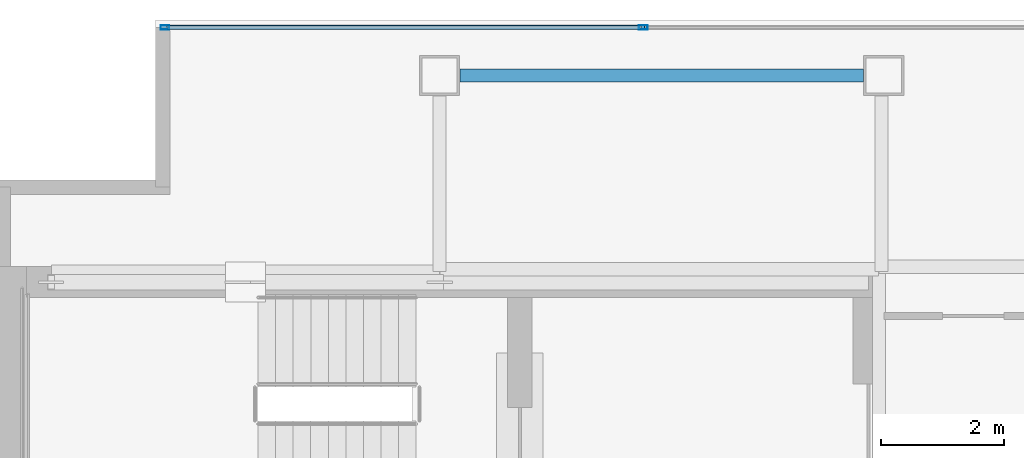
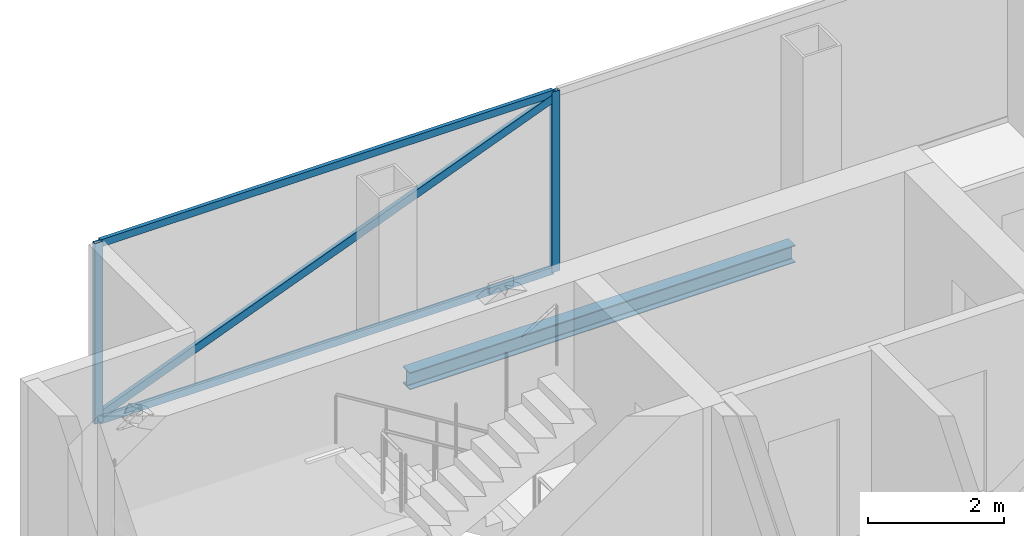
# One storey, part 17 of 23: 5 members, 1 beam, 1 element without a shape of its own.
"""IFC4 building model written with IfcOpenShell, lengths in metres."""

from ifc_helpers import new_model, si_unit, direction, frame, origin, origin_2d, place, context, subcontext, project, spatial, hollow_rectangle, i_section, extrude, material, material_profile, profile_set, type_object, element, aggregate, save


model = new_model("IFC4")

# Units and contexts
model_context = context("Model", 3, precision=1e-05, world=origin(), true_north=direction((0.0, 1.0)))
body_context = subcontext(model_context, "Body", "Model", "MODEL_VIEW")
ifc_project = project(units=[si_unit("LENGTHUNIT", "METRE"), si_unit("AREAUNIT", "SQUARE_METRE"), si_unit("VOLUMEUNIT", "CUBIC_METRE"), si_unit("PLANEANGLEUNIT", "RADIAN"), si_unit("MASSUNIT", "GRAM", prefix="KILO")], contexts=[model_context])

# Site, building, storey
site_placement = place(None, origin())
site = spatial("IfcSite", under=ifc_project, at=site_placement, CompositionType="ELEMENT")
building_placement = place(site_placement, origin())
building = spatial("IfcBuilding", under=site, at=building_placement, Name="Cobrela Telecom Tower", CompositionType="ELEMENT")
storey_placement = place(building_placement, frame((0.0, 0.0, 269.14990234375)))
storey = spatial("IfcBuildingStorey", under=building, at=storey_placement, Name="L70", CompositionType="ELEMENT", Elevation=269.14990234375)

# Beam
ifc_material_1 = material(Name="Steel ASTM A992 Grade 50", Category="steel")
ifc_material_profile_1 = material_profile(ifc_material_1, i_section(OverallWidth=0.205078125, OverallDepth=0.31005859375, WebThickness=0.009521484375, FlangeThickness=0.016357421875, FilletRadius=0.010986328125, at=origin_2d()), Name="W12X50")
ifc_profile_set_1 = profile_set([ifc_material_profile_1], Name="Steel ASTM A992 Grade 50")
beam_type = type_object("IfcBeamType", Name="BM-SPAND-07", PredefinedType="SPANDREL", material=ifc_profile_set_1)
beam_placement = place(storey_placement, frame((7.530029296875, 39.10009765625, -0.414794921875), z_axis=(1.0, 0.0, 0.0), x_axis=(0.0, 1.0, 0.0)))
element("IfcBeam", 1, at=beam_placement, inside=storey, type_object=beam_type, Name="L70 Perimeter Spandrel X19", PredefinedType="SPANDREL", context=body_context, shape_type="SweptSolid", body=[
    extrude(i_section(OverallWidth=0.205078125, OverallDepth=0.31005859375, WebThickness=0.009521484375, FlangeThickness=0.016357421875, FilletRadius=0.010986328125, at=origin_2d()), origin(), (0.0, 0.0, 1.0), 6.5400390625),
])

# Curtain wall, members
ifc_material_2 = material(Name="Anodized Bronze Aluminium 6063-T6", Category="aluminium")
curtain_wall_type = type_object("IfcCurtainWallType", Name="CW-SYS-OFF-HI", PredefinedType="USERDEFINED", material=ifc_material_2)
curtain_wall_placement = place(storey_placement, origin())
curtain_wall = element("IfcCurtainWall", 2, at=curtain_wall_placement, inside=storey, type_object=curtain_wall_type, Name="L70 Unitised Bronze Curtain Wall 05", ObjectType="UNITISED CURTAIN WALL", PredefinedType="USERDEFINED")
ifc_material_profile_2 = material_profile(ifc_material_2, hollow_rectangle(XDim=0.070068359375, YDim=0.139892578125, WallThickness=0.00390625, at=origin_2d()), Name="ALU 70x140x4")
ifc_profile_set_2 = profile_set([ifc_material_profile_2], Name="Anodized Bronze Aluminium 6063-T6")
member_type_1 = type_object("IfcMemberType", Name="CW-SYS-OFF-HI-MUL", PredefinedType="MULLION", material=ifc_profile_set_2)
member_1_placement = place(storey_placement, frame((2.7451171875, 39.8798828125, 0.0), z_axis=(0.0, 0.0, 1.0), x_axis=(0.0, 1.0, 0.0)))
member_1 = element("IfcMember", 3, at=member_1_placement, type_object=member_type_1, Name="CW-OFF-HI mullion 1", PredefinedType="MULLION", context=body_context, shape_type="SweptSolid", body=[
    extrude(hollow_rectangle(XDim=0.070068359375, YDim=0.139892578125, WallThickness=0.00390625, at=origin_2d()), origin(), (0.0, 0.0, 1.0), 3.239990234375),
])
member_2_placement = place(storey_placement, frame((10.5, 39.8798828125, 0.0), z_axis=(0.0, 0.0, 1.0), x_axis=(0.0, 1.0, 0.0)))
member_2 = element("IfcMember", 4, at=member_2_placement, type_object=member_type_1, Name="CW-OFF-HI mullion 2", PredefinedType="MULLION", context=body_context, shape_type="SweptSolid", body=[
    extrude(hollow_rectangle(XDim=0.070068359375, YDim=0.139892578125, WallThickness=0.00390625, at=origin_2d()), origin(), (0.0, 0.0, 1.0), 3.239990234375),
])
member_3_placement = place(storey_placement, frame((2.7099609375, 39.8798828125, 0.10009765625), z_axis=(0.931576654833, 0.0, 0.363544957565), x_axis=(0.0, 1.0, 0.0)))
member_3 = element("IfcMember", 5, at=member_3_placement, type_object=member_type_1, Name="L70 Faceted Curtain Wall Diagonal Glazing Mullion", PredefinedType="MULLION", context=body_context, shape_type="SweptSolid", body=[
    extrude(hollow_rectangle(XDim=0.070068359375, YDim=0.139892578125, WallThickness=0.00390625, at=origin_2d()), origin(), (0.0, 0.0, 1.0), 8.3623046875),
])
ifc_material_profile_3 = material_profile(ifc_material_2, hollow_rectangle(XDim=0.06494140625, YDim=0.1298828125, WallThickness=0.00390625, at=origin_2d()), Name="ALU 65x130x4")
ifc_profile_set_3 = profile_set([ifc_material_profile_3], Name="Anodized Bronze Aluminium 6063-T6")
member_type_2 = type_object("IfcMemberType", Name="CW-SYS-OFF-HI-TRN", PredefinedType="USERDEFINED", material=ifc_profile_set_3)
member_4_placement = place(storey_placement, frame((2.780029296875, 39.8798828125, 0.03271484375), z_axis=(1.0, 0.0, 0.0), x_axis=(0.0, 1.0, 0.0)))
member_4 = element("IfcMember", 6, at=member_4_placement, type_object=member_type_2, Name="CW-OFF-HI transom 1.1", ObjectType="TRANSOM", PredefinedType="USERDEFINED", context=body_context, shape_type="SweptSolid", body=[
    extrude(hollow_rectangle(XDim=0.06494140625, YDim=0.1298828125, WallThickness=0.00390625, at=origin_2d()), origin(), (0.0, 0.0, 1.0), 7.68505859375),
])
member_5_placement = place(storey_placement, frame((2.780029296875, 39.8798828125, 3.20751953125), z_axis=(1.0, 0.0, 0.0), x_axis=(0.0, 1.0, 0.0)))
member_5 = element("IfcMember", 7, at=member_5_placement, type_object=member_type_2, Name="CW-OFF-HI transom 1.2", ObjectType="TRANSOM", PredefinedType="USERDEFINED", context=body_context, shape_type="SweptSolid", body=[
    extrude(hollow_rectangle(XDim=0.06494140625, YDim=0.1298828125, WallThickness=0.00390625, at=origin_2d()), origin(), (0.0, 0.0, 1.0), 7.68505859375),
])
aggregate(curtain_wall, [member_1, member_2, member_4, member_5, member_3])

save(model, "model.ifc")
